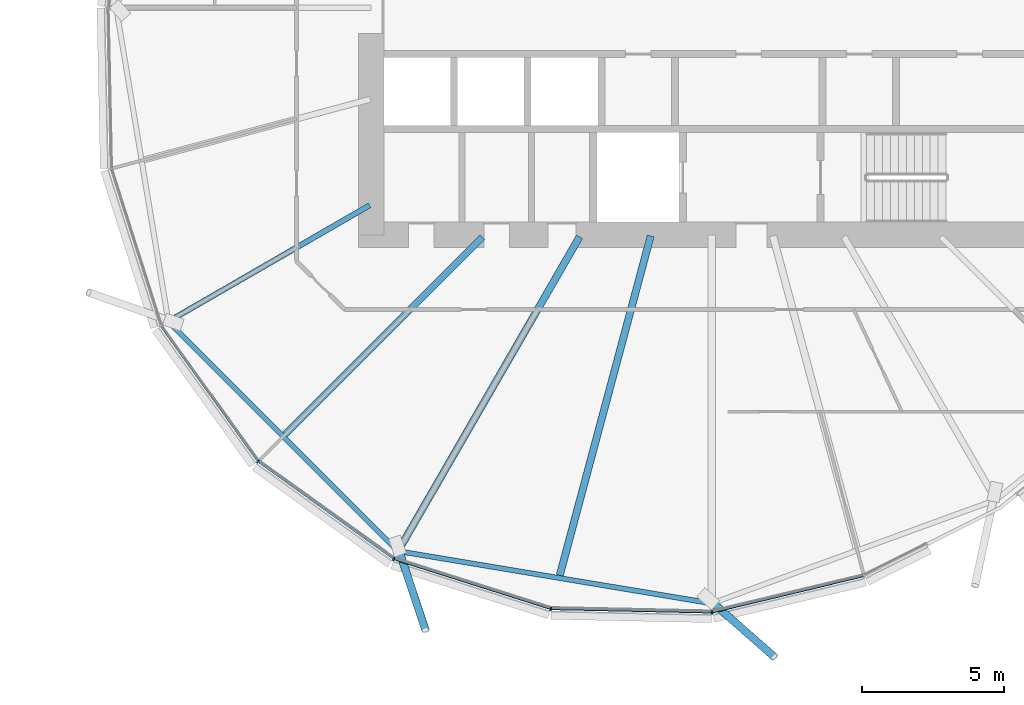
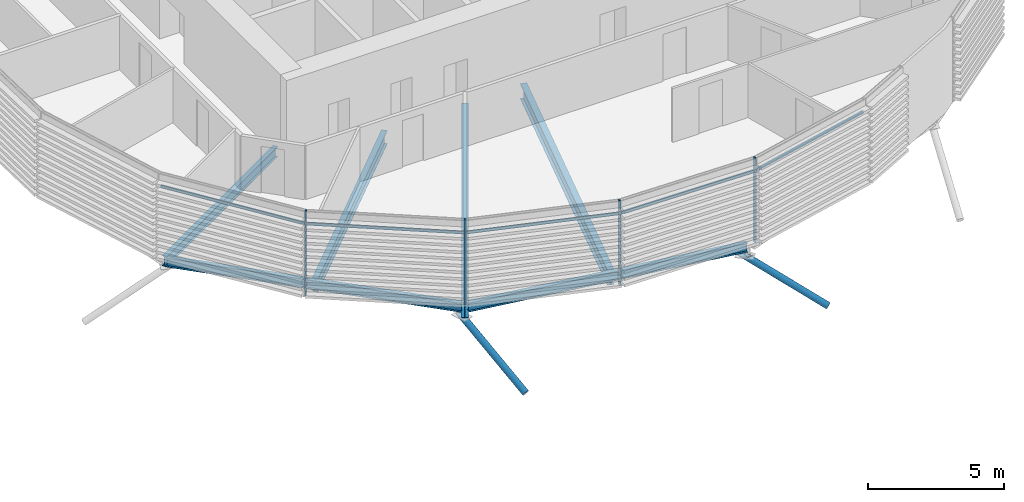
# One storey, part 13 of 38: 11 members, 6 beams, 1 element without a shape of its own.
"""IFC4 building model written with IfcOpenShell, lengths in metres."""

from ifc_helpers import new_model, si_unit, direction, frame, origin, origin_2d, place, context, subcontext, project, spatial, rectangle, hollow_circle, i_section, extrude, clip, halfspace, material, material_profile, profile_set, type_object, element, aggregate, save


model = new_model("IFC4")

# Units and contexts
model_context = context("Model", 3, precision=1e-05, world=origin(), true_north=direction((0.0, 1.0)))
body_context = subcontext(model_context, "Body", "Model", "MODEL_VIEW")
ifc_project = project(units=[si_unit("LENGTHUNIT", "METRE"), si_unit("AREAUNIT", "SQUARE_METRE"), si_unit("VOLUMEUNIT", "CUBIC_METRE"), si_unit("PLANEANGLEUNIT", "RADIAN"), si_unit("MASSUNIT", "GRAM", prefix="KILO")], contexts=[model_context])

# Site, building, storey
site_placement = place(None, origin())
site = spatial("IfcSite", under=ifc_project, at=site_placement, CompositionType="ELEMENT")
building_placement = place(site_placement, origin())
building = spatial("IfcBuilding", under=site, at=building_placement, Name="Rimbun Link Towers", CompositionType="ELEMENT")
storey_placement = place(building_placement, frame((0.0, 0.0, 49.0)))
storey = spatial("IfcBuildingStorey", under=building, at=storey_placement, Name="L11", CompositionType="ELEMENT", Elevation=49.0)

# Curtain wall, members
ifc_material_1 = material(Name="Aluminium 6063-T6 and low-iron glass", Category="aluminium")
curtain_wall_type = type_object("IfcCurtainWallType", Name="CW1 unitised vision wall", PredefinedType="NOTDEFINED", material=ifc_material_1)
curtain_wall_placement = place(storey_placement, origin())
curtain_wall = element("IfcCurtainWall", 1, at=curtain_wall_placement, inside=storey, type_object=curtain_wall_type, Name="CW1 L11 T2", PredefinedType="NOTDEFINED")
ifc_material_2 = material(Name="Aluminium 6063-T6", Category="aluminium")
ifc_material_profile_1 = material_profile(ifc_material_2, rectangle(XDim=0.1201171875, YDim=0.06005859375, at=origin_2d()), Name="MULLION 60X120")
ifc_profile_set_1 = profile_set([ifc_material_profile_1], Name="Aluminium 6063-T6")
member_type_1 = type_object("IfcMemberType", Name="CW1 mullion 60X120", PredefinedType="MULLION", material=ifc_profile_set_1)
member_1_placement = place(storey_placement, frame((15.76806640625, -15.98193359375, 0.0), z_axis=(0.0, 0.0, 1.0), x_axis=(-0.707106781187, -0.707106781187, 0.0)))
member_1 = element("IfcMember", 2, at=member_1_placement, type_object=member_type_1, Name="CW1 mullion", PredefinedType="MULLION", context=body_context, shape_type="SweptSolid", body=[
    extrude(rectangle(XDim=0.1201171875, YDim=0.06005859375, at=origin_2d()), origin(), (0.0, 0.0, 1.0), 3.800048828125),
])
member_2_placement = place(storey_placement, frame((20.546875, -19.4111328125, 0.0), z_axis=(0.0, 0.0, 1.0), x_axis=(-0.44856777331, -0.893748819718, 0.0)))
member_2 = element("IfcMember", 3, at=member_2_placement, type_object=member_type_1, Name="CW1 mullion", PredefinedType="MULLION", context=body_context, shape_type="SweptSolid", body=[
    extrude(rectangle(XDim=0.1201171875, YDim=0.06005859375, at=origin_2d()), origin(), (0.0, 0.0, 1.0), 3.800048828125),
])
member_3_placement = place(storey_placement, frame((26.0830078125, -21.171875, 0.0), z_axis=(0.0, 0.0, 1.0), x_axis=(-0.163749935396, -0.986501879703, 0.0)))
member_3 = element("IfcMember", 4, at=member_3_placement, type_object=member_type_1, Name="CW1 mullion", PredefinedType="MULLION", context=body_context, shape_type="SweptSolid", body=[
    extrude(rectangle(XDim=0.1201171875, YDim=0.06005859375, at=origin_2d()), origin(), (0.0, 0.0, 1.0), 3.800048828125),
])
member_4_placement = place(storey_placement, frame((31.75634765625, -21.29150390625, 0.0), z_axis=(0.0, 0.0, 1.0), x_axis=(0.106643098703, -0.994297364725, 0.0)))
member_4 = element("IfcMember", 5, at=member_4_placement, type_object=member_type_1, Name="CW1 mullion", PredefinedType="MULLION", context=body_context, shape_type="SweptSolid", body=[
    extrude(rectangle(XDim=0.1201171875, YDim=0.06005859375, at=origin_2d()), origin(), (0.0, 0.0, 1.0), 3.800048828125),
])
ifc_material_3 = material(Name="Aluminium 6063-T6", Category="aluminium")
ifc_material_profile_2 = material_profile(ifc_material_3, rectangle(XDim=0.06005859375, YDim=0.1201171875, at=origin_2d()), Name="TRANSOM 60X120")
ifc_profile_set_2 = profile_set([ifc_material_profile_2], Name="Aluminium 6063-T6")
member_type_2 = type_object("IfcMemberType", Name="CW1 transom 60X120", PredefinedType="USERDEFINED", material=ifc_profile_set_2)
member_5_placement = place(storey_placement, frame((15.745849609375, -15.948974609375, 3.199951171875), z_axis=(-0.583003884186, 0.812469366206, 0.0), x_axis=(-0.812469366206, -0.583003884186, 0.0)))
member_5 = element("IfcMember", 6, at=member_5_placement, type_object=member_type_2, Name="CW1 transom", ObjectType="TRANSOM", PredefinedType="USERDEFINED", context=body_context, shape_type="SweptSolid", body=[
    extrude(rectangle(XDim=0.06005859375, YDim=0.1201171875, at=origin_2d()), origin(), (0.0, 0.0, 1.0), 5.802734375),
])
member_6_placement = place(storey_placement, frame((20.515625, -19.38720703125, 3.199951171875), z_axis=(-0.812469366206, 0.583003884186, 0.0), x_axis=(-0.583003884186, -0.812469366206, 0.0)))
member_6 = element("IfcMember", 7, at=member_6_placement, type_object=member_type_2, Name="CW1 transom", ObjectType="TRANSOM", PredefinedType="USERDEFINED", context=body_context, shape_type="SweptSolid", body=[
    extrude(rectangle(XDim=0.06005859375, YDim=0.1201171875, at=origin_2d()), origin(), (0.0, 0.0, 1.0), 5.802734375),
])
member_7_placement = place(storey_placement, frame((26.046630859375, -21.158935546875, 3.199951171875), z_axis=(-0.952963255908, 0.30308585069, 0.0), x_axis=(-0.30308585069, -0.952963255908, 0.0)))
member_7 = element("IfcMember", 8, at=member_7_placement, type_object=member_type_2, Name="CW1 transom", ObjectType="TRANSOM", PredefinedType="USERDEFINED", context=body_context, shape_type="SweptSolid", body=[
    extrude(rectangle(XDim=0.06005859375, YDim=0.1201171875, at=origin_2d()), origin(), (0.0, 0.0, 1.0), 5.731201171875),
])
member_8_placement = place(storey_placement, frame((31.71875, -21.289306640625, 3.199951171875), z_axis=(-0.999778148103, 0.021063109375, 0.0), x_axis=(-0.021063109375, -0.999778148103, 0.0)))
member_8 = element("IfcMember", 9, at=member_8_placement, type_object=member_type_2, Name="CW1 transom", ObjectType="TRANSOM", PredefinedType="USERDEFINED", context=body_context, shape_type="SweptSolid", body=[
    extrude(rectangle(XDim=0.06005859375, YDim=0.1201171875, at=origin_2d()), origin(), (0.0, 0.0, 1.0), 5.598388671875),
])
member_9_placement = place(storey_placement, frame((37.080810546875, -20.0166015625, 3.199951171875), z_axis=(-0.97257447556, -0.232591679751, 0.0), x_axis=(0.232591679751, -0.97257447556, 0.0)))
member_9 = element("IfcMember", 10, at=member_9_placement, type_object=member_type_2, Name="CW1 transom", ObjectType="TRANSOM", PredefinedType="USERDEFINED", context=body_context, shape_type="SweptSolid", body=[
    extrude(rectangle(XDim=0.06005859375, YDim=0.1201171875, at=origin_2d()), origin(), (0.0, 0.0, 1.0), 5.437255859375),
])
aggregate(curtain_wall, [member_1, member_2, member_3, member_4, member_5, member_6, member_7, member_8, member_9])

# Members
ifc_material_4 = material(Name="Steel S355J2H", Category="steel")
ifc_material_profile_3 = material_profile(ifc_material_4, hollow_circle(Radius=0.136474609375, WallThickness=0.012451171875, at=origin_2d()), Name="CHS 273x12.5")
ifc_profile_set_3 = profile_set([ifc_material_profile_3], Name="Steel S355J2H")
member_type_3 = type_object("IfcMemberType", Name="Floor edge link CHS 273x12.5", PredefinedType="BRACE", material=ifc_profile_set_3)
member_10_placement = place(storey_placement, frame((20.726806640625, -19.092529296875, -0.958740234375), z_axis=(0.266255256013, -0.800144257585, -0.537473074395), x_axis=(0.948846638719, 0.315737321507, 0.0)))
element("IfcMember", 11, at=member_10_placement, inside=storey, type_object=member_type_3, Name="Floor edge link T2 L11 13", PredefinedType="BRACE", context=body_context, shape_type="Clipping", body=[
    clip(extrude(hollow_circle(Radius=0.136474609375, WallThickness=0.012451171875, at=origin_2d()), frame((0.0, 0.0, -0.447021484375)), (0.0, 0.0, 1.0), 3.989013671875), halfspace(frame((0.0, 0.0, -0.210693359375), z_axis=(0.0, 0.84328091067, -0.537473074395)), False)),
])
member_11_placement = place(storey_placement, frame((31.75, -20.9248046875, -0.96142578125), z_axis=(0.648753623044, -0.569764948578, -0.504466688652), x_axis=(0.65988463011, 0.751366937618, 0.0)))
element("IfcMember", 12, at=member_11_placement, inside=storey, type_object=member_type_3, Name="Floor edge link T2 L11 15", PredefinedType="BRACE", context=body_context, shape_type="Clipping", body=[
    clip(extrude(hollow_circle(Radius=0.136474609375, WallThickness=0.012451171875, at=origin_2d()), frame((0.0, 0.0, -0.487060546875)), (0.0, 0.0, 1.0), 3.893310546875), halfspace(frame((0.0, 0.0, -0.229736328125), z_axis=(0.0, 0.863431155357, -0.504466688652)), False)),
])

# Beams
ifc_material_5 = material(Name="Steel S355J2", Category="steel")
ifc_material_profile_4 = material_profile(ifc_material_5, i_section(OverallWidth=0.177978515625, OverallDepth=0.406494140625, WebThickness=0.0078125, FlangeThickness=0.0126953125, at=origin_2d()), Name="UB 406x178x60")
ifc_profile_set_4 = profile_set([ifc_material_profile_4], Name="Steel S355J2")
beam_type_1 = type_object("IfcBeamType", Name="UB 406x178x60", PredefinedType="BEAM", material=ifc_profile_set_4)
beam_1_placement = place(storey_placement, frame((12.684326171875, -11.118408203125, -0.36328125), z_axis=(0.707117674249, -0.707095887957, 0.0), x_axis=(0.707095887957, 0.707117674249, 0.0)))
element("IfcBeam", 13, at=beam_1_placement, inside=storey, type_object=beam_type_1, Name="Edge beam T2 L11 11-13", PredefinedType="BEAM", context=body_context, shape_type="SweptSolid", body=[
    extrude(i_section(OverallWidth=0.177978515625, OverallDepth=0.406494140625, WebThickness=0.0078125, FlangeThickness=0.0126953125, at=origin_2d()), origin(), (0.0, 0.0, 1.0), 11.2060546875),
])
beam_2_placement = place(storey_placement, frame((20.83642578125, -19.158203125, -0.36328125), z_axis=(0.986427093946, -0.16419984266, 0.0), x_axis=(0.16419984266, 0.986427093946, 0.0)))
element("IfcBeam", 14, at=beam_2_placement, inside=storey, type_object=beam_type_1, Name="Edge beam T2 L11 13-15", PredefinedType="BEAM", context=body_context, shape_type="SweptSolid", body=[
    extrude(i_section(OverallWidth=0.177978515625, OverallDepth=0.406494140625, WebThickness=0.0078125, FlangeThickness=0.0126953125, at=origin_2d()), origin(), (0.0, 0.0, 1.0), 10.934326171875),
])
ifc_material_6 = material(Name="Steel S355J2", Category="steel")
ifc_material_profile_5 = material_profile(ifc_material_6, i_section(OverallWidth=0.18994140625, OverallDepth=0.453369140625, WebThickness=0.008544921875, FlangeThickness=0.0126953125, at=origin_2d()), Name="UB 457x191x67")
ifc_profile_set_5 = profile_set([ifc_material_profile_5], Name="Steel S355J2")
beam_type_2 = type_object("IfcBeamType", Name="UB 457x191x67", PredefinedType="BEAM", material=ifc_profile_set_5)
beam_3_placement = place(storey_placement, frame((19.70166015625, -6.9560546875, -0.38671875), z_axis=(-0.86602612282, -0.499998754593, 0.0), x_axis=(0.499998754593, -0.86602612282, 0.0)))
element("IfcBeam", 15, at=beam_3_placement, inside=storey, type_object=beam_type_2, Name="Radial beam T2 L11 11", PredefinedType="BEAM", context=body_context, shape_type="SweptSolid", body=[
    extrude(i_section(OverallWidth=0.18994140625, OverallDepth=0.453369140625, WebThickness=0.008544921875, FlangeThickness=0.0126953125, at=origin_2d()), origin(), (0.0, 0.0, 1.0), 8.18408203125),
])
ifc_material_7 = material(Name="Steel S355J2", Category="steel")
ifc_material_profile_6 = material_profile(ifc_material_7, i_section(OverallWidth=0.2275390625, OverallDepth=0.6025390625, WebThickness=0.010498046875, FlangeThickness=0.014892578125, at=origin_2d()), Name="UB 610x229x101")
ifc_profile_set_6 = profile_set([ifc_material_profile_6], Name="Steel S355J2")
beam_type_3 = type_object("IfcBeamType", Name="UB 610x229x101", PredefinedType="BEAM", material=ifc_profile_set_6)
beam_4_placement = place(storey_placement, frame((23.668701171875, -8.081298828125, -0.461181640625), z_axis=(-0.707106781187, -0.707106781187, 0.0), x_axis=(0.707106781187, -0.707106781187, 0.0)))
element("IfcBeam", 16, at=beam_4_placement, inside=storey, type_object=beam_type_3, Name="Radial beam T2 L11 12", PredefinedType="BEAM", context=body_context, shape_type="SweptSolid", body=[
    extrude(i_section(OverallWidth=0.2275390625, OverallDepth=0.6025390625, WebThickness=0.010498046875, FlangeThickness=0.014892578125, at=origin_2d()), origin(), (0.0, 0.0, 1.0), 9.824462890625),
])
ifc_material_8 = material(Name="Steel S355J2", Category="steel")
ifc_material_profile_7 = material_profile(ifc_material_8, i_section(OverallWidth=0.253662109375, OverallDepth=0.68359375, WebThickness=0.012451171875, FlangeThickness=0.01904296875, at=origin_2d()), Name="UB 686x254x140")
ifc_profile_set_7 = profile_set([ifc_material_profile_7], Name="Steel S355J2")
beam_type_4 = type_object("IfcBeamType", Name="UB 686x254x140", PredefinedType="BEAM", material=ifc_profile_set_7)
beam_5_placement = place(storey_placement, frame((27.093994140625, -8.064208984375, -0.501708984375), z_axis=(-0.499988044872, -0.866032305971, 0.0), x_axis=(0.866032305971, -0.499988044872, 0.0)))
element("IfcBeam", 17, at=beam_5_placement, inside=storey, type_object=beam_type_4, Name="Radial beam T2 L11 13", PredefinedType="BEAM", context=body_context, shape_type="SweptSolid", body=[
    extrude(i_section(OverallWidth=0.253662109375, OverallDepth=0.68359375, WebThickness=0.012451171875, FlangeThickness=0.01904296875, at=origin_2d()), origin(), (0.0, 0.0, 1.0), 12.784423828125),
])
beam_6_placement = place(storey_placement, frame((29.597412109375, -8.03369140625, -0.501708984375), z_axis=(-0.258811328471, -0.965927893921, 0.0), x_axis=(0.965927893921, -0.258811328471, 0.0)))
element("IfcBeam", 18, at=beam_6_placement, inside=storey, type_object=beam_type_4, Name="Radial beam T2 L11 14", PredefinedType="BEAM", context=body_context, shape_type="SweptSolid", body=[
    extrude(i_section(OverallWidth=0.253662109375, OverallDepth=0.68359375, WebThickness=0.012451171875, FlangeThickness=0.01904296875, at=origin_2d()), origin(), (0.0, 0.0, 1.0), 12.380126953125),
])

save(model, "model.ifc")
